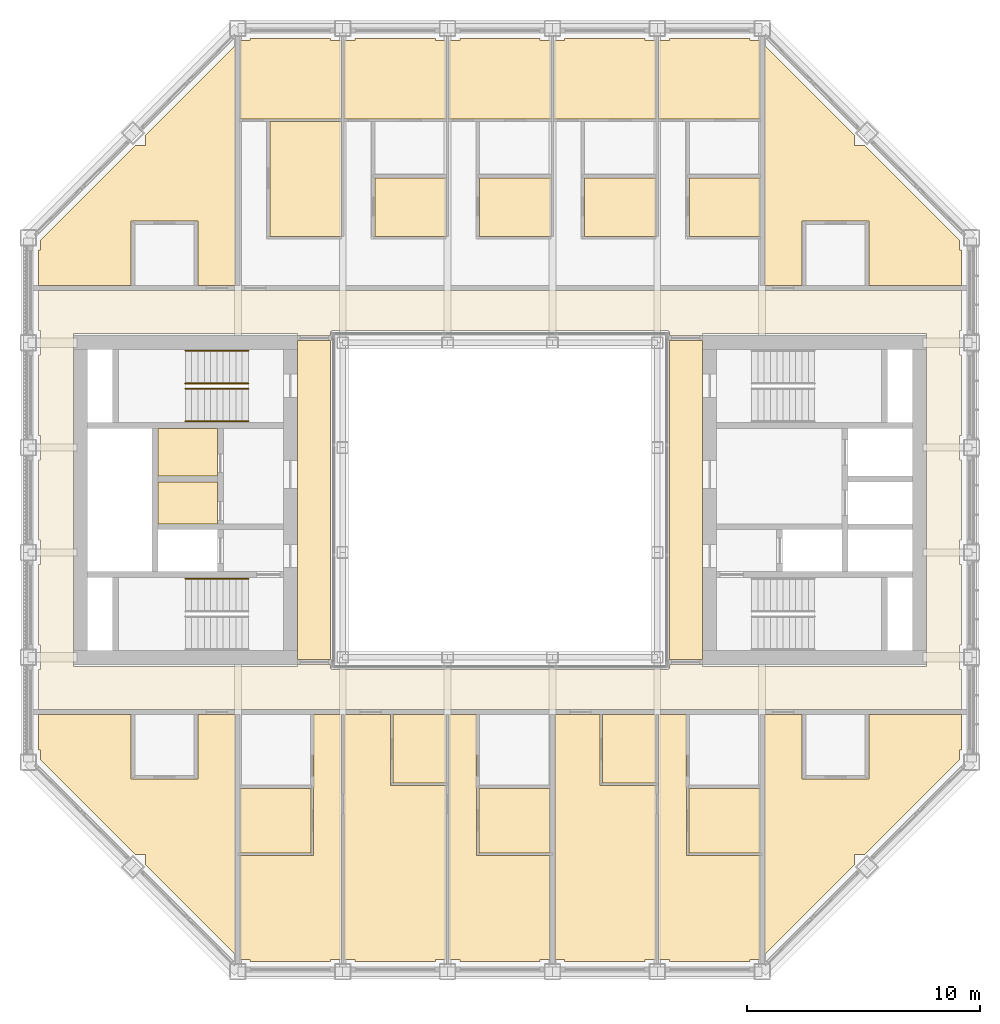
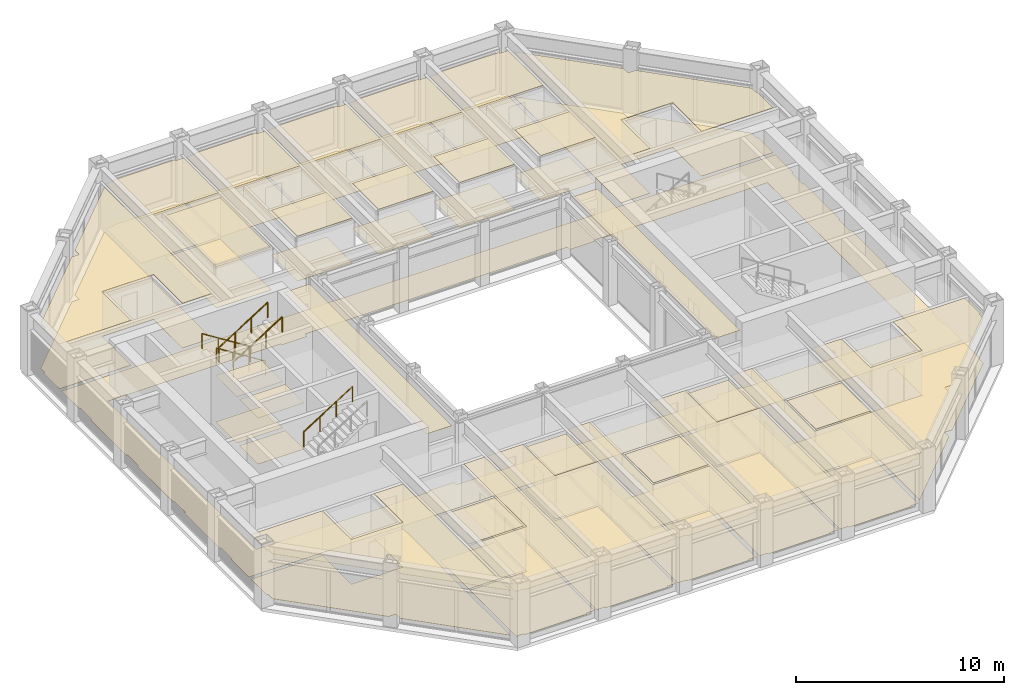
# One storey, part 16 of 18: 7 coverings, 5 railings.
"""IFC4 building model written with IfcOpenShell, lengths in metres."""

from ifc_helpers import new_model, si_unit, direction, frame, origin, origin_2d, place, context, subcontext, project, spatial, line, indexed_curve, circle, outline, extrude, material, layer, layer_set, type_object, element, save


model = new_model("IFC4")

# Units and contexts
model_context = context("Model", 3, precision=1e-05, world=origin(), true_north=direction((0.0, 1.0)))
body_context = subcontext(model_context, "Body", "Model", "MODEL_VIEW")
ifc_project = project(units=[si_unit("LENGTHUNIT", "METRE"), si_unit("AREAUNIT", "SQUARE_METRE"), si_unit("VOLUMEUNIT", "CUBIC_METRE"), si_unit("PLANEANGLEUNIT", "RADIAN"), si_unit("MASSUNIT", "GRAM", prefix="KILO")], contexts=[model_context])

# Site, building, storey
site_placement = place(None, origin())
site = spatial("IfcSite", under=ifc_project, at=site_placement, CompositionType="ELEMENT")
building_placement = place(site_placement, origin())
building = spatial("IfcBuilding", under=site, at=building_placement, Name="Msasa Ring Tower", CompositionType="ELEMENT")
storey_placement = place(building_placement, frame((0.0, 0.0, 245.800048828125)))
storey = spatial("IfcBuildingStorey", under=building, at=storey_placement, Name="L64", CompositionType="ELEMENT", Elevation=245.800048828125)

# Coverings
ifc_material_1 = material(Name="Gypsum plasterboard on a steel suspension grid", Category="steel")
ifc_layer_1 = layer(ifc_material_1, 0.014892578125)
ifc_layer_set_1 = layer_set([ifc_layer_1], Name="C1 SUSPENDED PLASTERBOARD CEILING 15")
covering_type_1 = type_object("IfcCoveringType", Name="C1 SUSPENDED PLASTERBOARD CEILING 15", PredefinedType="CEILING", material=ifc_layer_set_1)
covering_1_placement = place(storey_placement, frame((0.0, 0.0, 3.199951171875)))
element("IfcCovering", 1, at=covering_1_placement, inside=storey, type_object=covering_type_1, Name="Suspended Plasterboard Ceiling 15 public rooms L64", PredefinedType="CEILING", context=body_context, shape_type="SweptSolid", body=[
    extrude(outline(indexed_curve([(-7.280029296875, 6.849609375), (-7.280029296875, -6.849609375), (-8.699462890625, -6.849609375), (-8.699462890625, 6.849609375)], segments=[line(1, 2, 3, 4, 1)], self_intersect=False)), origin(), (0.0, 0.0, 1.0), 0.014892578125),
    extrude(outline(indexed_curve([(8.699462890625, 6.849609375), (8.699462890625, -6.849609375), (7.280029296875, -6.849609375), (7.280029296875, 6.849609375)], segments=[line(1, 2, 3, 4, 1)], self_intersect=False)), origin(), (0.0, 0.0, 1.0), 0.014892578125),
])
covering_2_placement = place(storey_placement, frame((0.0, 0.0, 2.634033203125)))
element("IfcCovering", 2, at=covering_2_placement, inside=storey, type_object=covering_type_1, Name="Suspended Plasterboard Ceiling 15 L64", PredefinedType="CEILING", context=body_context, shape_type="SweptSolid", body=[
    extrude(outline(indexed_curve([(-12.969482421875, -9.200439453125), (-11.3505859375, -9.200439453125), (-11.3505859375, -19.512451171875), (-15.224609375, -15.638427734375), (-15.224609375, -15.224609375), (-15.638427734375, -15.224609375), (-19.724609375, -11.138427734375), (-19.724609375, -10.724609375), (-19.799560546875, -10.724609375), (-19.799560546875, -9.200439453125), (-15.83056640625, -9.200439453125), (-15.83056640625, -11.98046875), (-12.969482421875, -11.98046875)], segments=[line(1, 2, 3, 4, 5, 6, 7, 8, 9, 10, 11, 12, 13, 1)], self_intersect=False)), origin(), (0.0, 0.0, 1.0), 0.014892578125),
    extrude(outline(indexed_curve([(-19.799560546875, 9.200439453125), (-19.799560546875, 10.724609375), (-19.724609375, 10.724609375), (-19.724609375, 11.138427734375), (-15.638427734375, 15.224609375), (-15.224609375, 15.224609375), (-15.224609375, 15.638427734375), (-11.3505859375, 19.512451171875), (-11.3505859375, 9.200439453125), (-12.969482421875, 9.200439453125), (-12.969482421875, 11.98046875), (-15.83056640625, 11.98046875), (-15.83056640625, 9.200439453125)], segments=[line(1, 2, 3, 4, 5, 6, 7, 8, 9, 10, 11, 12, 13, 1)], self_intersect=False)), origin(), (0.0, 0.0, 1.0), 0.014892578125),
    extrude(outline(indexed_curve([(-7.99951171875, -9.200439453125), (-6.810546875, -9.200439453125), (-6.810546875, -19.724609375), (-7.275390625, -19.724609375), (-7.275390625, -19.799560546875), (-10.724609375, -19.799560546875), (-10.724609375, -19.724609375), (-11.138427734375, -19.724609375), (-11.189453125, -19.67333984375), (-11.189453125, -15.25048828125), (-7.99951171875, -15.25048828125)], segments=[line(1, 2, 3, 4, 5, 6, 7, 8, 9, 10, 11, 1)], self_intersect=False)), origin(), (0.0, 0.0, 1.0), 0.014892578125),
    extrude(outline(indexed_curve([(-11.189453125, 16.35546875), (-11.189453125, 19.67333984375), (-11.138427734375, 19.724609375), (-10.724609375, 19.724609375), (-10.724609375, 19.799560546875), (-7.275390625, 19.799560546875), (-7.275390625, 19.724609375), (-6.810546875, 19.724609375), (-6.810546875, 16.35546875)], segments=[line(1, 2, 3, 4, 5, 6, 7, 8, 9, 1)], self_intersect=False)), origin(), (0.0, 0.0, 1.0), 0.014892578125),
    extrude(outline(indexed_curve([(-8.10546875, -12.380615234375), (-8.10546875, -15.14453125), (-11.1494140625, -15.14453125), (-11.1494140625, -12.380615234375)], segments=[line(1, 2, 3, 4, 1)], self_intersect=False)), origin(), (0.0, 0.0, 1.0), 0.014892578125),
    extrude(outline(indexed_curve([(-6.224609375, -19.799560546875), (-6.224609375, -19.724609375), (-6.689453125, -19.724609375), (-6.689453125, -9.200439453125), (-4.700439453125, -9.200439453125), (-4.700439453125, -12.25048828125), (-2.310546875, -12.25048828125), (-2.310546875, -19.724609375), (-2.775390625, -19.724609375), (-2.775390625, -19.799560546875)], segments=[line(1, 2, 3, 4, 5, 6, 7, 8, 9, 10, 1)], self_intersect=False)), origin(), (0.0, 0.0, 1.0), 0.014892578125),
    extrude(outline(indexed_curve([(-6.689453125, 19.724609375), (-6.224609375, 19.724609375), (-6.224609375, 19.799560546875), (-2.775390625, 19.799560546875), (-2.775390625, 19.724609375), (-2.310546875, 19.724609375), (-2.310546875, 16.35546875), (-6.689453125, 16.35546875)], segments=[line(1, 2, 3, 4, 5, 6, 7, 8, 1)], self_intersect=False)), origin(), (0.0, 0.0, 1.0), 0.014892578125),
    extrude(outline(indexed_curve([(-5.369384765625, 13.819580078125), (-2.310546875, 13.819580078125), (-2.310546875, 11.305419921875), (-5.369384765625, 11.305419921875)], segments=[line(1, 2, 3, 4, 1)], self_intersect=False)), origin(), (0.0, 0.0, 1.0), 0.014892578125),
    extrude(outline(indexed_curve([(-1.724609375, -19.799560546875), (-1.724609375, -19.724609375), (-2.189453125, -19.724609375), (-2.189453125, -9.200439453125), (-1.00048828125, -9.200439453125), (-1.00048828125, -15.25048828125), (2.189453125, -15.25048828125), (2.189453125, -19.724609375), (1.724609375, -19.724609375), (1.724609375, -19.799560546875)], segments=[line(1, 2, 3, 4, 5, 6, 7, 8, 9, 10, 1)], self_intersect=False)), origin(), (0.0, 0.0, 1.0), 0.014892578125),
    extrude(outline(indexed_curve([(-2.189453125, 16.35546875), (-2.189453125, 19.724609375), (-1.724609375, 19.724609375), (-1.724609375, 19.799560546875), (1.724609375, 19.799560546875), (1.724609375, 19.724609375), (2.189453125, 19.724609375), (2.189453125, 16.35546875)], segments=[line(1, 2, 3, 4, 5, 6, 7, 8, 1)], self_intersect=False)), origin(), (0.0, 0.0, 1.0), 0.014892578125),
    extrude(outline(indexed_curve([(-0.89453125, -12.380615234375), (2.1494140625, -12.380615234375), (2.1494140625, -15.14453125), (-0.89453125, -15.14453125)], segments=[line(1, 2, 3, 4, 1)], self_intersect=False)), origin(), (0.0, 0.0, 1.0), 0.014892578125),
    extrude(outline(indexed_curve([(-0.869384765625, 13.819580078125), (2.189453125, 13.819580078125), (2.189453125, 11.305419921875), (-0.869384765625, 11.305419921875)], segments=[line(1, 2, 3, 4, 1)], self_intersect=False)), origin(), (0.0, 0.0, 1.0), 0.014892578125),
    extrude(outline(indexed_curve([(2.775390625, -19.799560546875), (2.775390625, -19.724609375), (2.310546875, -19.724609375), (2.310546875, -9.200439453125), (4.299560546875, -9.200439453125), (4.299560546875, -12.25048828125), (6.689453125, -12.25048828125), (6.689453125, -19.724609375), (6.224609375, -19.724609375), (6.224609375, -19.799560546875)], segments=[line(1, 2, 3, 4, 5, 6, 7, 8, 9, 10, 1)], self_intersect=False)), origin(), (0.0, 0.0, 1.0), 0.014892578125),
    extrude(outline(indexed_curve([(2.310546875, 19.724609375), (2.775390625, 19.724609375), (2.775390625, 19.799560546875), (6.224609375, 19.799560546875), (6.224609375, 19.724609375), (6.689453125, 19.724609375), (6.689453125, 16.35546875), (2.310546875, 16.35546875)], segments=[line(1, 2, 3, 4, 5, 6, 7, 8, 1)], self_intersect=False)), origin(), (0.0, 0.0, 1.0), 0.014892578125),
    extrude(outline(indexed_curve([(6.689453125, 13.819580078125), (6.689453125, 11.305419921875), (3.630615234375, 11.305419921875), (3.630615234375, 13.819580078125)], segments=[line(1, 2, 3, 4, 1)], self_intersect=False)), origin(), (0.0, 0.0, 1.0), 0.014892578125),
    extrude(outline(indexed_curve([(11.138427734375, -19.724609375), (10.724609375, -19.724609375), (10.724609375, -19.799560546875), (7.275390625, -19.799560546875), (7.275390625, -19.724609375), (6.810546875, -19.724609375), (6.810546875, -9.200439453125), (7.99951171875, -9.200439453125), (7.99951171875, -15.25048828125), (11.189453125, -15.25048828125), (11.189453125, -19.67333984375)], segments=[line(1, 2, 3, 4, 5, 6, 7, 8, 9, 10, 11, 1)], self_intersect=False)), origin(), (0.0, 0.0, 1.0), 0.014892578125),
    extrude(outline(indexed_curve([(6.810546875, 16.35546875), (6.810546875, 19.724609375), (7.275390625, 19.724609375), (7.275390625, 19.799560546875), (10.724609375, 19.799560546875), (10.724609375, 19.724609375), (11.138427734375, 19.724609375), (11.189453125, 19.67333984375), (11.189453125, 16.35546875)], segments=[line(1, 2, 3, 4, 5, 6, 7, 8, 9, 1)], self_intersect=False)), origin(), (0.0, 0.0, 1.0), 0.014892578125),
    extrude(outline(indexed_curve([(11.1494140625, -12.380615234375), (11.1494140625, -15.14453125), (8.10546875, -15.14453125), (8.10546875, -12.380615234375)], segments=[line(1, 2, 3, 4, 1)], self_intersect=False)), origin(), (0.0, 0.0, 1.0), 0.014892578125),
    extrude(outline(indexed_curve([(11.189453125, 13.819580078125), (11.189453125, 11.305419921875), (8.130615234375, 11.305419921875), (8.130615234375, 13.819580078125)], segments=[line(1, 2, 3, 4, 1)], self_intersect=False)), origin(), (0.0, 0.0, 1.0), 0.014892578125),
    extrude(outline(indexed_curve([(19.799560546875, -10.724609375), (19.724609375, -10.724609375), (19.724609375, -11.138427734375), (15.638427734375, -15.224609375), (15.224609375, -15.224609375), (15.224609375, -15.638427734375), (11.3505859375, -19.512451171875), (11.3505859375, -9.200439453125), (12.969482421875, -9.200439453125), (12.969482421875, -11.98046875), (15.83056640625, -11.98046875), (15.83056640625, -9.200439453125), (19.799560546875, -9.200439453125)], segments=[line(1, 2, 3, 4, 5, 6, 7, 8, 9, 10, 11, 12, 13, 1)], self_intersect=False)), origin(), (0.0, 0.0, 1.0), 0.014892578125),
    extrude(outline(indexed_curve([(12.969482421875, 11.98046875), (12.969482421875, 9.200439453125), (11.3505859375, 9.200439453125), (11.3505859375, 19.512451171875), (15.224609375, 15.638427734375), (15.224609375, 15.224609375), (15.638427734375, 15.224609375), (19.724609375, 11.138427734375), (19.724609375, 10.724609375), (19.799560546875, 10.724609375), (19.799560546875, 9.200439453125), (15.83056640625, 9.200439453125), (15.83056640625, 11.98046875)], segments=[line(1, 2, 3, 4, 5, 6, 7, 8, 9, 10, 11, 12, 13, 1)], self_intersect=False)), origin(), (0.0, 0.0, 1.0), 0.014892578125),
])
ifc_material_2 = material(Name="Mineral fibre ceiling tiles on an exposed steel grid", Category="steel")
ifc_layer_2 = layer(ifc_material_2, 0.02001953125)
ifc_layer_set_2 = layer_set([ifc_layer_2], Name="C3 ACOUSTIC MINERAL FIBRE TILE CEILING 20")
covering_type_2 = type_object("IfcCoveringType", Name="C3 ACOUSTIC MINERAL FIBRE TILE CEILING 20", PredefinedType="CEILING", material=ifc_layer_set_2)
covering_3_placement = place(storey_placement, frame((0.0, 0.0, 2.699951171875)))
element("IfcCovering", 3, at=covering_3_placement, inside=storey, type_object=covering_type_2, Name="Acoustic Mineral Fibre Tile Ceiling 20 L64", PredefinedType="CEILING", context=body_context, shape_type="SweptSolid", body=[
    extrude(outline(indexed_curve([(-12.12548828125, -1.0244140625), (-14.674560546875, -1.0244140625), (-14.674560546875, 0.7744140625), (-12.12548828125, 0.7744140625)], segments=[line(1, 2, 3, 4, 1)], self_intersect=False)), origin(), (0.0, 0.0, 1.0), 0.02001953125),
    extrude(outline(indexed_curve([(-12.12548828125, 3.074462890625), (-12.12548828125, 1.025390625), (-14.674560546875, 1.025390625), (-14.674560546875, 3.074462890625)], segments=[line(1, 2, 3, 4, 1)], self_intersect=False)), origin(), (0.0, 0.0, 1.0), 0.02001953125),
])
ifc_material_3 = material(Name="Perforated aluminium ceiling pans on a steel grid", Category="steel")
ifc_layer_3 = layer(ifc_material_3, 0.02490234375)
ifc_layer_set_3 = layer_set([ifc_layer_3], Name="C4 PERFORATED METAL PAN CEILING 25")
covering_type_3 = type_object("IfcCoveringType", Name="C4 PERFORATED METAL PAN CEILING 25", PredefinedType="CEILING", material=ifc_layer_set_3)
covering_4_placement = place(storey_placement, frame((0.0, 0.0, 2.39990234375)))
element("IfcCovering", 4, at=covering_4_placement, inside=storey, type_object=covering_type_3, Name="Perforated Metal Pan Ceiling 25 L64", PredefinedType="CEILING", context=body_context, shape_type="SweptSolid", body=[
    extrude(outline(indexed_curve([(-6.810546875, 11.305419921875), (-9.869384765625, 11.305419921875), (-9.869384765625, 16.244384765625), (-6.810546875, 16.244384765625)], segments=[line(1, 2, 3, 4, 1)], self_intersect=False)), origin(), (0.0, 0.0, 1.0), 0.025146484375),
    extrude(outline(indexed_curve([(-2.310546875, -9.200439453125), (-2.310546875, -12.14453125), (-4.594482421875, -12.14453125), (-4.594482421875, -9.200439453125)], segments=[line(1, 2, 3, 4, 1)], self_intersect=False)), origin(), (0.0, 0.0, 1.0), 0.025146484375),
    extrude(outline(indexed_curve([(6.689453125, -12.14453125), (4.405517578125, -12.14453125), (4.405517578125, -9.200439453125), (6.689453125, -9.200439453125)], segments=[line(1, 2, 3, 4, 1)], self_intersect=False)), origin(), (0.0, 0.0, 1.0), 0.025146484375),
])
ifc_material_4 = material(Name="Wool-blend carpet on felt underlay", Category="textile")
ifc_layer_4 = layer(ifc_material_4, 0.011962890625)
ifc_layer_set_4 = layer_set([ifc_layer_4], Name="F2 CARPET ON UNDERLAY 12")
covering_type_4 = type_object("IfcCoveringType", Name="F2 CARPET ON UNDERLAY 12", PredefinedType="FLOORING", material=ifc_layer_set_4)
covering_5_placement = place(storey_placement, origin())
element("IfcCovering", 5, at=covering_5_placement, inside=storey, type_object=covering_type_4, Name="Carpet On Underlay 12 L64", PredefinedType="FLOORING", context=body_context, shape_type="SweptSolid", body=[
    extrude(outline(indexed_curve([(19.799560546875, 7.275390625), (19.724609375, 7.275390625), (19.724609375, 6.224609375), (19.799560546875, 6.224609375), (19.799560546875, 2.775390625), (19.724609375, 2.775390625), (19.724609375, 1.724609375), (19.799560546875, 1.724609375), (19.799560546875, -1.724609375), (19.724609375, -1.724609375), (19.724609375, -2.775390625), (19.799560546875, -2.775390625), (19.799560546875, -6.224609375), (19.724609375, -6.224609375), (19.724609375, -7.275390625), (19.799560546875, -7.275390625), (19.799560546875, -8.99951171875), (-19.799560546875, -8.99951171875), (-19.799560546875, -7.275390625), (-19.724609375, -7.275390625), (-19.724609375, -6.224609375), (-19.799560546875, -6.224609375), (-19.799560546875, -2.775390625), (-19.724609375, -2.775390625), (-19.724609375, -1.724609375), (-19.799560546875, -1.724609375), (-19.799560546875, 1.724609375), (-19.724609375, 1.724609375), (-19.724609375, 2.775390625), (-19.799560546875, 2.775390625), (-19.799560546875, 6.224609375), (-19.724609375, 6.224609375), (-19.724609375, 7.275390625), (-19.799560546875, 7.275390625), (-19.799560546875, 8.99951171875), (19.799560546875, 8.99951171875)], segments=[line(1, 2, 3, 4, 5, 6, 7, 8, 9, 10, 11, 12, 13, 14, 15, 16, 17, 18, 19, 20, 21, 22, 23, 24, 25, 26, 27, 28, 29, 30, 31, 32, 33, 34, 35, 36, 1)], self_intersect=False), holes=[indexed_curve([(8.699462890625, -7.150390625), (18.300537109375, -7.150390625), (18.300537109375, 7.150390625), (8.699462890625, 7.150390625), (8.699462890625, 7.050537109375), (7.280029296875, 7.050537109375), (7.280517578125, 7.23046875), (7.22998046875, 7.23046875), (7.22998046875, 7.280029296875), (-7.22998046875, 7.280029296875), (-7.22998046875, 7.23046875), (-7.280517578125, 7.23046875), (-7.280029296875, 7.050537109375), (-8.699462890625, 7.050537109375), (-8.699462890625, 7.150390625), (-18.300537109375, 7.150390625), (-18.300537109375, -7.150390625), (-8.699462890625, -7.150390625), (-8.699462890625, -7.050537109375), (-7.280029296875, -7.050537109375), (-7.280517578125, -7.23046875), (-7.22998046875, -7.23046875), (-7.22998046875, -7.280029296875), (7.22998046875, -7.280029296875), (7.22998046875, -7.23046875), (7.280517578125, -7.23046875), (7.280029296875, -7.050537109375), (8.699462890625, -7.050537109375)], segments=[line(1, 2, 3, 4, 5, 6, 7, 8, 9, 10, 11, 12, 13, 14, 15, 16, 17, 18, 19, 20, 21, 22, 23, 24, 25, 26, 27, 28, 1)], self_intersect=False)]), origin(), (0.0, 0.0, 1.0), 0.011962890625),
    extrude(outline(indexed_curve([(-6.810546875, -9.200439453125), (-6.810546875, -19.724609375), (-7.275390625, -19.724609375), (-7.275390625, -19.799560546875), (-10.724609375, -19.799560546875), (-10.724609375, -19.724609375), (-11.138427734375, -19.724609375), (-11.1494140625, -19.71337890625), (-11.1494140625, -15.25048828125), (-7.99951171875, -15.25048828125), (-7.99951171875, -12.35009765625), (-7.974609375, -12.35009765625), (-7.974609375, -9.200439453125)], segments=[line(1, 2, 3, 4, 5, 6, 7, 8, 9, 10, 11, 12, 13, 1)], self_intersect=False)), origin(), (0.0, 0.0, 1.0), 0.011962890625),
    extrude(outline(indexed_curve([(-8.10546875, -12.380615234375), (-8.10546875, -15.14453125), (-11.1494140625, -15.14453125), (-11.1494140625, -12.380615234375)], segments=[line(1, 2, 3, 4, 1)], self_intersect=False)), origin(), (0.0, 0.0, 1.0), 0.011962890625),
    extrude(outline(indexed_curve([(-11.1494140625, 16.35546875), (-11.1494140625, 19.71337890625), (-11.138427734375, 19.724609375), (-10.724609375, 19.724609375), (-10.724609375, 19.799560546875), (-7.275390625, 19.799560546875), (-7.275390625, 19.724609375), (-6.810546875, 19.724609375), (-6.810546875, 16.35546875)], segments=[line(1, 2, 3, 4, 5, 6, 7, 8, 9, 1)], self_intersect=False)), origin(), (0.0, 0.0, 1.0), 0.011962890625),
    extrude(outline(indexed_curve([(-6.689453125, -9.200439453125), (-4.700439453125, -9.200439453125), (-4.700439453125, -12.25048828125), (-2.310546875, -12.25048828125), (-2.310546875, -19.724609375), (-2.775390625, -19.724609375), (-2.775390625, -19.799560546875), (-6.224609375, -19.799560546875), (-6.224609375, -19.724609375), (-6.689453125, -19.724609375)], segments=[line(1, 2, 3, 4, 5, 6, 7, 8, 9, 10, 1)], self_intersect=False)), origin(), (0.0, 0.0, 1.0), 0.011962890625),
    extrude(outline(indexed_curve([(-2.775390625, 19.799560546875), (-2.775390625, 19.724609375), (-2.310546875, 19.724609375), (-2.310546875, 16.35546875), (-6.689453125, 16.35546875), (-6.689453125, 19.724609375), (-6.224609375, 19.724609375), (-6.224609375, 19.799560546875)], segments=[line(1, 2, 3, 4, 5, 6, 7, 8, 1)], self_intersect=False)), origin(), (0.0, 0.0, 1.0), 0.011962890625),
    extrude(outline(indexed_curve([(-2.310546875, 13.819580078125), (-2.310546875, 11.305419921875), (-5.369384765625, 11.305419921875), (-5.369384765625, 13.819580078125)], segments=[line(1, 2, 3, 4, 1)], self_intersect=False)), origin(), (0.0, 0.0, 1.0), 0.011962890625),
    extrude(outline(indexed_curve([(-2.189453125, -9.200439453125), (-1.025390625, -9.200439453125), (-1.025390625, -12.35009765625), (-1.00048828125, -12.35009765625), (-1.00048828125, -15.25048828125), (2.1494140625, -15.25048828125), (2.1494140625, -19.724609375), (1.724609375, -19.724609375), (1.724609375, -19.799560546875), (-1.724609375, -19.799560546875), (-1.724609375, -19.724609375), (-2.189453125, -19.724609375)], segments=[line(1, 2, 3, 4, 5, 6, 7, 8, 9, 10, 11, 12, 1)], self_intersect=False)), origin(), (0.0, 0.0, 1.0), 0.011962890625),
    extrude(outline(indexed_curve([(1.724609375, 19.799560546875), (1.724609375, 19.724609375), (2.189453125, 19.724609375), (2.189453125, 16.35546875), (-2.189453125, 16.35546875), (-2.189453125, 19.724609375), (-1.724609375, 19.724609375), (-1.724609375, 19.799560546875)], segments=[line(1, 2, 3, 4, 5, 6, 7, 8, 1)], self_intersect=False)), origin(), (0.0, 0.0, 1.0), 0.011962890625),
    extrude(outline(indexed_curve([(2.1494140625, -12.380615234375), (2.1494140625, -15.14453125), (-0.89453125, -15.14453125), (-0.89453125, -12.380615234375)], segments=[line(1, 2, 3, 4, 1)], self_intersect=False)), origin(), (0.0, 0.0, 1.0), 0.011962890625),
    extrude(outline(indexed_curve([(2.189453125, 13.819580078125), (2.189453125, 11.305419921875), (-0.869384765625, 11.305419921875), (-0.869384765625, 13.819580078125)], segments=[line(1, 2, 3, 4, 1)], self_intersect=False)), origin(), (0.0, 0.0, 1.0), 0.011962890625),
    extrude(outline(indexed_curve([(6.224609375, 19.799560546875), (6.224609375, 19.724609375), (6.689453125, 19.724609375), (6.689453125, 16.35546875), (2.310546875, 16.35546875), (2.310546875, 19.724609375), (2.775390625, 19.724609375), (2.775390625, 19.799560546875)], segments=[line(1, 2, 3, 4, 5, 6, 7, 8, 1)], self_intersect=False)), origin(), (0.0, 0.0, 1.0), 0.011962890625),
    extrude(outline(indexed_curve([(4.299560546875, -9.200439453125), (4.299560546875, -12.25048828125), (6.689453125, -12.25048828125), (6.689453125, -19.724609375), (6.224609375, -19.724609375), (6.224609375, -19.799560546875), (2.775390625, -19.799560546875), (2.775390625, -19.724609375), (2.3505859375, -19.724609375), (2.3505859375, -9.200439453125)], segments=[line(1, 2, 3, 4, 5, 6, 7, 8, 9, 10, 1)], self_intersect=False)), origin(), (0.0, 0.0, 1.0), 0.011962890625),
    extrude(outline(indexed_curve([(6.689453125, 13.819580078125), (6.689453125, 11.305419921875), (3.630615234375, 11.305419921875), (3.630615234375, 13.819580078125)], segments=[line(1, 2, 3, 4, 1)], self_intersect=False)), origin(), (0.0, 0.0, 1.0), 0.011962890625),
    extrude(outline(indexed_curve([(7.275390625, -19.799560546875), (7.275390625, -19.724609375), (6.810546875, -19.724609375), (6.810546875, -9.200439453125), (7.974609375, -9.200439453125), (7.974609375, -12.35009765625), (7.99951171875, -12.35009765625), (7.99951171875, -15.25048828125), (11.1494140625, -15.25048828125), (11.1494140625, -19.71337890625), (11.138427734375, -19.724609375), (10.724609375, -19.724609375), (10.724609375, -19.799560546875)], segments=[line(1, 2, 3, 4, 5, 6, 7, 8, 9, 10, 11, 12, 13, 1)], self_intersect=False)), origin(), (0.0, 0.0, 1.0), 0.011962890625),
    extrude(outline(indexed_curve([(6.810546875, 19.724609375), (7.275390625, 19.724609375), (7.275390625, 19.799560546875), (10.724609375, 19.799560546875), (10.724609375, 19.724609375), (11.138427734375, 19.724609375), (11.1494140625, 19.71337890625), (11.1494140625, 16.35546875), (6.810546875, 16.35546875)], segments=[line(1, 2, 3, 4, 5, 6, 7, 8, 9, 1)], self_intersect=False)), origin(), (0.0, 0.0, 1.0), 0.011962890625),
    extrude(outline(indexed_curve([(11.1494140625, -12.380615234375), (11.1494140625, -15.14453125), (8.10546875, -15.14453125), (8.10546875, -12.380615234375)], segments=[line(1, 2, 3, 4, 1)], self_intersect=False)), origin(), (0.0, 0.0, 1.0), 0.011962890625),
    extrude(outline(indexed_curve([(11.1494140625, 13.819580078125), (11.1494140625, 11.305419921875), (8.130615234375, 11.305419921875), (8.130615234375, 13.819580078125)], segments=[line(1, 2, 3, 4, 1)], self_intersect=False)), origin(), (0.0, 0.0, 1.0), 0.011962890625),
])
ifc_material_5 = material(Name="Engineered oak boards on an acoustic underlay", Category="wood")
ifc_layer_5 = layer(ifc_material_5, 0.01806640625)
ifc_layer_set_5 = layer_set([ifc_layer_5], Name="F3 ENGINEERED TIMBER ON ACOUSTIC UNDERLAY 18")
covering_type_5 = type_object("IfcCoveringType", Name="F3 ENGINEERED TIMBER ON ACOUSTIC UNDERLAY 18", PredefinedType="FLOORING", material=ifc_layer_set_5)
covering_6_placement = place(storey_placement, origin())
element("IfcCovering", 6, at=covering_6_placement, inside=storey, type_object=covering_type_5, Name="Engineered Timber On Acoustic Underlay 18 L64", PredefinedType="FLOORING", context=body_context, shape_type="SweptSolid", body=[
    extrude(outline(indexed_curve([(-15.83056640625, -11.98046875), (-12.969482421875, -11.98046875), (-12.969482421875, -9.200439453125), (-11.3505859375, -9.200439453125), (-11.3505859375, -19.512451171875), (-15.224609375, -15.638427734375), (-15.224609375, -15.224609375), (-15.638427734375, -15.224609375), (-19.724609375, -11.138427734375), (-19.724609375, -10.724609375), (-19.799560546875, -10.724609375), (-19.799560546875, -9.200439453125), (-15.83056640625, -9.200439453125)], segments=[line(1, 2, 3, 4, 5, 6, 7, 8, 9, 10, 11, 12, 13, 1)], self_intersect=False)), origin(), (0.0, 0.0, 1.0), 0.01806640625),
    extrude(outline(indexed_curve([(-15.83056640625, 9.200439453125), (-19.799560546875, 9.200439453125), (-19.799560546875, 10.724609375), (-19.724609375, 10.724609375), (-19.724609375, 11.138427734375), (-15.638427734375, 15.224609375), (-15.224609375, 15.224609375), (-15.224609375, 15.638427734375), (-11.3505859375, 19.512451171875), (-11.3505859375, 9.200439453125), (-12.969482421875, 9.200439453125), (-12.969482421875, 11.98046875), (-15.83056640625, 11.98046875)], segments=[line(1, 2, 3, 4, 5, 6, 7, 8, 9, 10, 11, 12, 13, 1)], self_intersect=False)), origin(), (0.0, 0.0, 1.0), 0.01806640625),
    extrude(outline(indexed_curve([(15.83056640625, -9.200439453125), (19.799560546875, -9.200439453125), (19.799560546875, -10.724609375), (19.724609375, -10.724609375), (19.724609375, -11.138427734375), (15.638427734375, -15.224609375), (15.224609375, -15.224609375), (15.224609375, -15.638427734375), (11.3505859375, -19.512451171875), (11.3505859375, -9.200439453125), (12.969482421875, -9.200439453125), (12.969482421875, -11.98046875), (15.83056640625, -11.98046875)], segments=[line(1, 2, 3, 4, 5, 6, 7, 8, 9, 10, 11, 12, 13, 1)], self_intersect=False)), origin(), (0.0, 0.0, 1.0), 0.01806640625),
    extrude(outline(indexed_curve([(15.83056640625, 11.98046875), (12.969482421875, 11.98046875), (12.969482421875, 9.200439453125), (11.3505859375, 9.200439453125), (11.3505859375, 19.512451171875), (15.224609375, 15.638427734375), (15.224609375, 15.224609375), (15.638427734375, 15.224609375), (19.724609375, 11.138427734375), (19.724609375, 10.724609375), (19.799560546875, 10.724609375), (19.799560546875, 9.200439453125), (15.83056640625, 9.200439453125)], segments=[line(1, 2, 3, 4, 5, 6, 7, 8, 9, 10, 11, 12, 13, 1)], self_intersect=False)), origin(), (0.0, 0.0, 1.0), 0.01806640625),
])
ifc_material_6 = material(Name="Welded vinyl safety sheet flooring", Category="vinyl")
ifc_layer_6 = layer(ifc_material_6, 0.0029296875)
ifc_layer_set_6 = layer_set([ifc_layer_6], Name="F5 RESILIENT SHEET FLOORING 3")
covering_type_6 = type_object("IfcCoveringType", Name="F5 RESILIENT SHEET FLOORING 3", PredefinedType="FLOORING", material=ifc_layer_set_6)
covering_7_placement = place(storey_placement, origin())
element("IfcCovering", 7, at=covering_7_placement, inside=storey, type_object=covering_type_6, Name="Resilient Sheet Flooring 3 L64", PredefinedType="FLOORING", context=body_context, shape_type="SweptSolid", body=[
    extrude(outline(indexed_curve([(-14.674560546875, -1.0244140625), (-14.674560546875, 0.7744140625), (-12.12548828125, 0.7744140625), (-12.12548828125, -1.0244140625)], segments=[line(1, 2, 3, 4, 1)], self_intersect=False)), origin(), (0.0, 0.0, 1.0), 0.0029296875),
    extrude(outline(indexed_curve([(-14.674560546875, 3.074462890625), (-12.12548828125, 3.074462890625), (-12.12548828125, 1.025390625), (-14.674560546875, 1.025390625)], segments=[line(1, 2, 3, 4, 1)], self_intersect=False)), origin(), (0.0, 0.0, 1.0), 0.0029296875),
    extrude(outline(indexed_curve([(-9.869384765625, 16.244384765625), (-6.810546875, 16.244384765625), (-6.810546875, 11.305419921875), (-9.869384765625, 11.305419921875)], segments=[line(1, 2, 3, 4, 1)], self_intersect=False)), origin(), (0.0, 0.0, 1.0), 0.0029296875),
    extrude(outline(indexed_curve([(-4.594482421875, -12.14453125), (-4.594482421875, -9.200439453125), (-2.310546875, -9.200439453125), (-2.310546875, -12.14453125)], segments=[line(1, 2, 3, 4, 1)], self_intersect=False)), origin(), (0.0, 0.0, 1.0), 0.0029296875),
    extrude(outline(indexed_curve([(4.405517578125, -12.14453125), (4.405517578125, -9.200439453125), (6.689453125, -9.200439453125), (6.689453125, -12.14453125)], segments=[line(1, 2, 3, 4, 1)], self_intersect=False)), origin(), (0.0, 0.0, 1.0), 0.0029296875),
])

# Railings
ifc_material_7 = material(Name="Stainless steel", Category="steel")
railing_type = type_object("IfcRailingType", Name="HR1 HANDRAIL 900", PredefinedType="HANDRAIL", material=ifc_material_7)
railing_placement = place(storey_placement, frame((-13.5, -3.375, 2.04541015625)))
element("IfcRailing", 8, at=railing_placement, inside=storey, type_object=railing_type, Name="Handrail stair SWA L64 4", PredefinedType="HANDRAIL", context=body_context, shape_type="SweptSolid", body=[
    extrude(circle(Radius=0.02392578125, at=origin_2d()), frame((0.0, 0.0, 0.8759765625), z_axis=(0.845579735284, 0.0, 0.533849146555), x_axis=(0.0, 1.0, 0.0)), (0.0, 0.0, 1.0), 3.193115234375),
    extrude(circle(Radius=0.02099609375, at=origin_2d()), origin(), (0.0, 0.0, 1.0), 0.851806640625),
    extrude(circle(Radius=0.02099609375, at=origin_2d()), frame((0.89990234375, 0.0, 0.568115234375)), (0.0, 0.0, 1.0), 0.851806640625),
    extrude(circle(Radius=0.02099609375, at=origin_2d()), frame((1.800048828125, 0.0, 1.136474609375)), (0.0, 0.0, 1.0), 0.851806640625),
    extrude(circle(Radius=0.02099609375, at=origin_2d()), frame((2.699951171875, 0.0, 1.70458984375)), (0.0, 0.0, 1.0), 0.851806640625),
])
for number, where, name in (
    (9, (-10.800048828125, 5.0, 0.17041015625), "Handrail stair SWB L64 1"),
    (10, (-10.800048828125, 6.39990234375, 0.17041015625), "Handrail stair SWB L64 2"),
):
    element("IfcRailing", number, at=place(storey_placement, frame(where)), inside=storey, type_object=railing_type, Name=name, PredefinedType="HANDRAIL", context=body_context, shape_type="SweptSolid", body=[
        extrude(circle(Radius=0.02392578125, at=origin_2d()), frame((0.0, 0.0, 0.8759765625), z_axis=(-0.845579735284, 0.0, 0.533849146555), x_axis=(0.0, -1.0, 0.0)), (0.0, 0.0, 1.0), 3.193115234375),
        extrude(circle(Radius=0.02099609375, at=origin_2d()), origin(), (0.0, 0.0, 1.0), 0.851806640625),
        extrude(circle(Radius=0.02099609375, at=origin_2d()), frame((-0.89990234375, 0.0, 0.568115234375)), (0.0, 0.0, 1.0), 0.851806640625),
        extrude(circle(Radius=0.02099609375, at=origin_2d()), frame((-1.800048828125, 0.0, 1.136474609375)), (0.0, 0.0, 1.0), 0.851806640625),
        extrude(circle(Radius=0.02099609375, at=origin_2d()), frame((-2.699951171875, 0.0, 1.70458984375)), (0.0, 0.0, 1.0), 0.851806640625),
    ])
for number, where, name in (
    (11, (-13.5, 3.375, 2.04541015625), "Handrail stair SWB L64 3"),
    (12, (-13.5, 4.77490234375, 2.04541015625), "Handrail stair SWB L64 4"),
):
    element("IfcRailing", number, at=place(storey_placement, frame(where)), inside=storey, type_object=railing_type, Name=name, PredefinedType="HANDRAIL", context=body_context, shape_type="SweptSolid", body=[
        extrude(circle(Radius=0.02392578125, at=origin_2d()), frame((0.0, 0.0, 0.8759765625), z_axis=(0.845579735284, 0.0, 0.533849146555), x_axis=(0.0, 1.0, 0.0)), (0.0, 0.0, 1.0), 3.193115234375),
        extrude(circle(Radius=0.02099609375, at=origin_2d()), origin(), (0.0, 0.0, 1.0), 0.851806640625),
        extrude(circle(Radius=0.02099609375, at=origin_2d()), frame((0.89990234375, 0.0, 0.568115234375)), (0.0, 0.0, 1.0), 0.851806640625),
        extrude(circle(Radius=0.02099609375, at=origin_2d()), frame((1.800048828125, 0.0, 1.136474609375)), (0.0, 0.0, 1.0), 0.851806640625),
        extrude(circle(Radius=0.02099609375, at=origin_2d()), frame((2.699951171875, 0.0, 1.70458984375)), (0.0, 0.0, 1.0), 0.851806640625),
    ])

save(model, "model.ifc")
